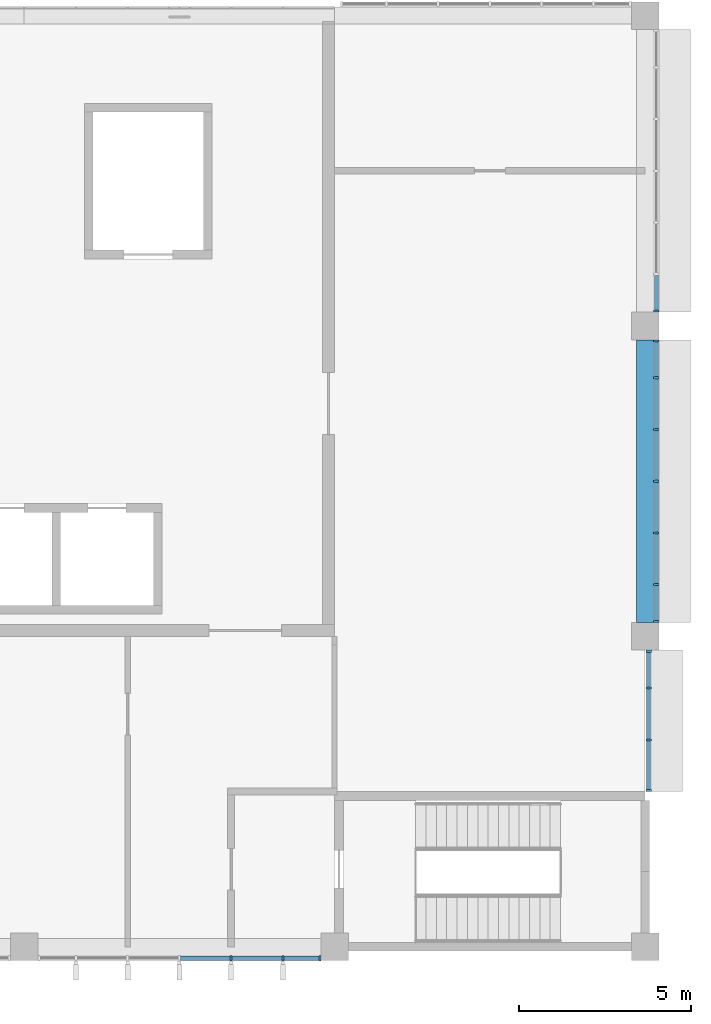
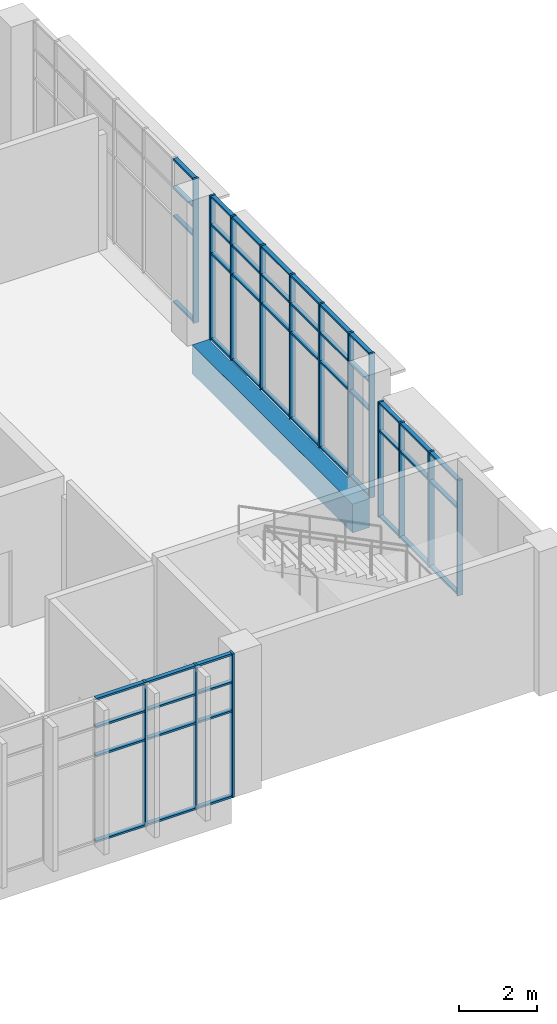
# One storey, part 5 of 19: 64 members, 1 beam, 4 elements without a shape of their own.
"""IFC4 building model written with IfcOpenShell, lengths in metres."""

from ifc_helpers import new_model, si_unit, direction, frame, origin, origin_2d, place, context, subcontext, project, spatial, rectangle, extrude, material, layer, layer_set, material_profile, profile_set, type_object, element, aggregate, save


model = new_model("IFC4")

# Units and contexts
model_context = context("Model", 3, precision=1e-05, world=origin(), true_north=direction((0.0, 1.0)))
body_context = subcontext(model_context, "Body", "Model", "MODEL_VIEW")
ifc_project = project(units=[si_unit("LENGTHUNIT", "METRE"), si_unit("AREAUNIT", "SQUARE_METRE"), si_unit("VOLUMEUNIT", "CUBIC_METRE"), si_unit("PLANEANGLEUNIT", "RADIAN"), si_unit("MASSUNIT", "GRAM", prefix="KILO")], contexts=[model_context])

# Site, building, storey
site_placement = place(None, origin())
site = spatial("IfcSite", under=ifc_project, at=site_placement, CompositionType="ELEMENT")
building_placement = place(site_placement, origin())
building = spatial("IfcBuilding", under=site, at=building_placement, Name="Guidao Yard Department Store", CompositionType="ELEMENT")
storey_placement = place(building_placement, frame((0.0, 0.0, 33.0)))
storey = spatial("IfcBuildingStorey", under=building, at=storey_placement, Name="L07", CompositionType="ELEMENT", Elevation=33.0)

# Curtain wall, members
ifc_material_1 = material(Name="Aluminium and glass", Category="aluminium")
ifc_layer = layer(ifc_material_1, 0.159912109375)
ifc_layer_set = layer_set([ifc_layer], Name="Unitised curtain wall CW4 1500 module")
curtain_wall_type = type_object("IfcCurtainWallType", Name="Unitised curtain wall CW4 1500 module", PredefinedType="NOTDEFINED", material=ifc_layer_set)
curtain_wall_1_placement = place(storey_placement, origin())
curtain_wall_1 = element("IfcCurtainWall", 1, at=curtain_wall_1_placement, inside=storey, type_object=curtain_wall_type, Name="Unitised curtain wall", PredefinedType="NOTDEFINED")
ifc_material_2 = material(Name="Aluminium 6063-T5", Category="aluminium")
ifc_material_profile_1 = material_profile(ifc_material_2, rectangle(XDim=0.06005859375, YDim=0.159912109375, at=origin_2d()), Name="Mullion M1 60 x 160 aluminium pressure plate")
ifc_profile_set_1 = profile_set([ifc_material_profile_1], Name="Aluminium 6063-T5")
member_type_1 = type_object("IfcMemberType", Name="Mullion M1 60 x 160 aluminium pressure plate", PredefinedType="MULLION", material=ifc_profile_set_1)
member_1_placement = place(storey_placement, frame((159.0, -0.330078125, 0.0), z_axis=(0.0, 0.0, 1.0), x_axis=(-1.0, 0.0, 0.0)))
member_1 = element("IfcMember", 2, at=member_1_placement, type_object=member_type_1, Name="CW-OW-L07-04 mullion 5", PredefinedType="MULLION", context=body_context, shape_type="SweptSolid", body=[
    extrude(rectangle(XDim=0.06005859375, YDim=0.159912109375, at=origin_2d()), origin(), (0.0, 0.0, 1.0), 4.5),
])
member_2_placement = place(storey_placement, frame((160.5, -0.330078125, 0.0), z_axis=(0.0, 0.0, 1.0), x_axis=(-1.0, 0.0, 0.0)))
member_2 = element("IfcMember", 3, at=member_2_placement, type_object=member_type_1, Name="CW-OW-L07-04 mullion 6", PredefinedType="MULLION", context=body_context, shape_type="SweptSolid", body=[
    extrude(rectangle(XDim=0.06005859375, YDim=0.159912109375, at=origin_2d()), origin(), (0.0, 0.0, 1.0), 4.5),
])
member_3_placement = place(storey_placement, frame((161.570068359375, -0.330078125, 0.0), z_axis=(0.0, 0.0, 1.0), x_axis=(-1.0, 0.0, 0.0)))
member_3 = element("IfcMember", 4, at=member_3_placement, type_object=member_type_1, Name="CW-OW-L07-04 mullion 7", PredefinedType="MULLION", context=body_context, shape_type="SweptSolid", body=[
    extrude(rectangle(XDim=0.06005859375, YDim=0.159912109375, at=origin_2d()), origin(), (0.0, 0.0, 1.0), 4.5),
])

curtain_wall_2_placement = place(storey_placement, origin())
curtain_wall_2 = element("IfcCurtainWall", 5, at=curtain_wall_2_placement, inside=storey, type_object=curtain_wall_type, Name="Unitised curtain wall", PredefinedType="NOTDEFINED")
member_4_placement = place(storey_placement, frame((171.10009765625, 4.530029296875, 0.0), z_axis=(0.0, 0.0, 1.0), x_axis=(0.0, -1.0, 0.0)))
member_4 = element("IfcMember", 6, at=member_4_placement, type_object=member_type_1, Name="CW-OW-L07-09 mullion 1", PredefinedType="MULLION", context=body_context, shape_type="SweptSolid", body=[
    extrude(rectangle(XDim=0.06005859375, YDim=0.159912109375, at=origin_2d()), origin(), (0.0, 0.0, 1.0), 3.60009765625),
])
member_5_placement = place(storey_placement, frame((171.10009765625, 6.0, 0.0), z_axis=(0.0, 0.0, 1.0), x_axis=(0.0, -1.0, 0.0)))
member_5 = element("IfcMember", 7, at=member_5_placement, type_object=member_type_1, Name="CW-OW-L07-09 mullion 2", PredefinedType="MULLION", context=body_context, shape_type="SweptSolid", body=[
    extrude(rectangle(XDim=0.06005859375, YDim=0.159912109375, at=origin_2d()), origin(), (0.0, 0.0, 1.0), 3.60009765625),
])
member_6_placement = place(storey_placement, frame((171.10009765625, 7.5, 0.0), z_axis=(0.0, 0.0, 1.0), x_axis=(0.0, -1.0, 0.0)))
member_6 = element("IfcMember", 8, at=member_6_placement, type_object=member_type_1, Name="CW-OW-L07-09 mullion 3", PredefinedType="MULLION", context=body_context, shape_type="SweptSolid", body=[
    extrude(rectangle(XDim=0.06005859375, YDim=0.159912109375, at=origin_2d()), origin(), (0.0, 0.0, 1.0), 3.60009765625),
])
member_7_placement = place(storey_placement, frame((171.10009765625, 8.570068359375, 0.0), z_axis=(0.0, 0.0, 1.0), x_axis=(0.0, -1.0, 0.0)))
member_7 = element("IfcMember", 9, at=member_7_placement, type_object=member_type_1, Name="CW-OW-L07-09 mullion 4", PredefinedType="MULLION", context=body_context, shape_type="SweptSolid", body=[
    extrude(rectangle(XDim=0.06005859375, YDim=0.159912109375, at=origin_2d()), origin(), (0.0, 0.0, 1.0), 3.60009765625),
])

curtain_wall_3_placement = place(storey_placement, origin())
curtain_wall_3 = element("IfcCurtainWall", 10, at=curtain_wall_3_placement, inside=storey, type_object=curtain_wall_type, Name="Unitised curtain wall", PredefinedType="NOTDEFINED")
member_8_placement = place(storey_placement, frame((171.330078125, 9.429931640625, 0.0), z_axis=(0.0, 0.0, 1.0), x_axis=(0.0, -1.0, 0.0)))
member_8 = element("IfcMember", 11, at=member_8_placement, type_object=member_type_1, Name="CW-OW-L07-10 mullion 1", PredefinedType="MULLION", context=body_context, shape_type="SweptSolid", body=[
    extrude(rectangle(XDim=0.06005859375, YDim=0.159912109375, at=origin_2d()), origin(), (0.0, 0.0, 1.0), 4.5),
])
member_9_placement = place(storey_placement, frame((171.330078125, 10.5, 0.0), z_axis=(0.0, 0.0, 1.0), x_axis=(0.0, -1.0, 0.0)))
member_9 = element("IfcMember", 12, at=member_9_placement, type_object=member_type_1, Name="CW-OW-L07-10 mullion 2", PredefinedType="MULLION", context=body_context, shape_type="SweptSolid", body=[
    extrude(rectangle(XDim=0.06005859375, YDim=0.159912109375, at=origin_2d()), origin(), (0.0, 0.0, 1.0), 4.5),
])
member_10_placement = place(storey_placement, frame((171.330078125, 12.0, 0.0), z_axis=(0.0, 0.0, 1.0), x_axis=(0.0, -1.0, 0.0)))
member_10 = element("IfcMember", 13, at=member_10_placement, type_object=member_type_1, Name="CW-OW-L07-10 mullion 3", PredefinedType="MULLION", context=body_context, shape_type="SweptSolid", body=[
    extrude(rectangle(XDim=0.06005859375, YDim=0.159912109375, at=origin_2d()), origin(), (0.0, 0.0, 1.0), 4.5),
])
member_11_placement = place(storey_placement, frame((171.330078125, 13.5, 0.0), z_axis=(0.0, 0.0, 1.0), x_axis=(0.0, -1.0, 0.0)))
member_11 = element("IfcMember", 14, at=member_11_placement, type_object=member_type_1, Name="CW-OW-L07-10 mullion 4", PredefinedType="MULLION", context=body_context, shape_type="SweptSolid", body=[
    extrude(rectangle(XDim=0.06005859375, YDim=0.159912109375, at=origin_2d()), origin(), (0.0, 0.0, 1.0), 4.5),
])
member_12_placement = place(storey_placement, frame((171.330078125, 15.0, 0.0), z_axis=(0.0, 0.0, 1.0), x_axis=(0.0, -1.0, 0.0)))
member_12 = element("IfcMember", 15, at=member_12_placement, type_object=member_type_1, Name="CW-OW-L07-10 mullion 5", PredefinedType="MULLION", context=body_context, shape_type="SweptSolid", body=[
    extrude(rectangle(XDim=0.06005859375, YDim=0.159912109375, at=origin_2d()), origin(), (0.0, 0.0, 1.0), 4.5),
])
member_13_placement = place(storey_placement, frame((171.330078125, 16.5, 0.0), z_axis=(0.0, 0.0, 1.0), x_axis=(0.0, -1.0, 0.0)))
member_13 = element("IfcMember", 16, at=member_13_placement, type_object=member_type_1, Name="CW-OW-L07-10 mullion 6", PredefinedType="MULLION", context=body_context, shape_type="SweptSolid", body=[
    extrude(rectangle(XDim=0.06005859375, YDim=0.159912109375, at=origin_2d()), origin(), (0.0, 0.0, 1.0), 4.5),
])
member_14_placement = place(storey_placement, frame((171.330078125, 17.570068359375, 0.0), z_axis=(0.0, 0.0, 1.0), x_axis=(0.0, -1.0, 0.0)))
member_14 = element("IfcMember", 17, at=member_14_placement, type_object=member_type_1, Name="CW-OW-L07-10 mullion 7", PredefinedType="MULLION", context=body_context, shape_type="SweptSolid", body=[
    extrude(rectangle(XDim=0.06005859375, YDim=0.159912109375, at=origin_2d()), origin(), (0.0, 0.0, 1.0), 4.5),
])

# Curtain wall, member
curtain_wall_4_placement = place(storey_placement, origin())
curtain_wall_4 = element("IfcCurtainWall", 18, at=curtain_wall_4_placement, inside=storey, type_object=curtain_wall_type, Name="Unitised curtain wall", PredefinedType="NOTDEFINED")
member_15_placement = place(storey_placement, frame((171.330078125, 18.429931640625, 0.0), z_axis=(0.0, 0.0, 1.0), x_axis=(0.0, -1.0, 0.0)))
member_15 = element("IfcMember", 19, at=member_15_placement, type_object=member_type_1, Name="CW-OW-L07-11 mullion 1", PredefinedType="MULLION", context=body_context, shape_type="SweptSolid", body=[
    extrude(rectangle(XDim=0.06005859375, YDim=0.159912109375, at=origin_2d()), origin(), (0.0, 0.0, 1.0), 4.5),
])

# Beam
ifc_material_3 = material(Name="Concrete C40", Category="concrete")
ifc_material_profile_2 = material_profile(ifc_material_3, rectangle(XDim=0.5, YDim=0.89990234375, at=origin_2d()), Name="Spandrel beam 500 x 900 C40")
ifc_profile_set_2 = profile_set([ifc_material_profile_2], Name="Concrete C40")
beam_type = type_object("IfcBeamType", Name="Spandrel beam 500 x 900 C40", PredefinedType="SPANDREL", material=ifc_profile_set_2)
beam_placement = place(storey_placement, frame((171.0, 9.39990234375, -0.449951171875), z_axis=(0.0, 1.0, 0.0), x_axis=(-1.0, 0.0, 0.0)))
element("IfcBeam", 20, at=beam_placement, inside=storey, type_object=beam_type, Name="Beam FB09", PredefinedType="SPANDREL", context=body_context, shape_type="SweptSolid", body=[
    extrude(rectangle(XDim=0.5, YDim=0.89990234375, at=origin_2d()), origin(), (0.0, 0.0, 1.0), 8.2001953125),
])

# Member
ifc_material_4 = material(Name="Aluminium 6063-T5", Category="aluminium")
ifc_material_profile_3 = material_profile(ifc_material_4, rectangle(XDim=0.1201171875, YDim=0.06005859375, at=origin_2d()), Name="Transom T1 60 x 120 aluminium pressure plate")
ifc_profile_set_3 = profile_set([ifc_material_profile_3], Name="Aluminium 6063-T5")
member_type_2 = type_object("IfcMemberType", Name="Transom T1 60 x 120 aluminium pressure plate", PredefinedType="USERDEFINED", material=ifc_profile_set_3)
member_16_placement = place(storey_placement, frame((158.969970703125, -0.330078125, 0.030029296875), z_axis=(-1.0, 0.0, 0.0), x_axis=(0.0, -1.0, 0.0)))
member_16 = element("IfcMember", 21, at=member_16_placement, type_object=member_type_2, Name="CW-OW-L07-04 transom 4.1", ObjectType="TRANSOM", PredefinedType="USERDEFINED", context=body_context, shape_type="SweptSolid", body=[
    extrude(rectangle(XDim=0.1201171875, YDim=0.06005859375, at=origin_2d()), origin(), (0.0, 0.0, 1.0), 1.43994140625),
])

member_17_placement = place(storey_placement, frame((158.969970703125, -0.330078125, 2.699951171875), z_axis=(-1.0, 0.0, 0.0), x_axis=(0.0, -1.0, 0.0)))
member_17 = element("IfcMember", 22, at=member_17_placement, type_object=member_type_2, Name="CW-OW-L07-04 transom 4.2", ObjectType="TRANSOM", PredefinedType="USERDEFINED", context=body_context, shape_type="SweptSolid", body=[
    extrude(rectangle(XDim=0.1201171875, YDim=0.06005859375, at=origin_2d()), origin(), (0.0, 0.0, 1.0), 1.43994140625),
])

member_18_placement = place(storey_placement, frame((158.969970703125, -0.330078125, 3.60009765625), z_axis=(-1.0, 0.0, 0.0), x_axis=(0.0, -1.0, 0.0)))
member_18 = element("IfcMember", 23, at=member_18_placement, type_object=member_type_2, Name="CW-OW-L07-04 transom 4.3", ObjectType="TRANSOM", PredefinedType="USERDEFINED", context=body_context, shape_type="SweptSolid", body=[
    extrude(rectangle(XDim=0.1201171875, YDim=0.06005859375, at=origin_2d()), origin(), (0.0, 0.0, 1.0), 1.43994140625),
])

member_19_placement = place(storey_placement, frame((158.969970703125, -0.330078125, 4.469970703125), z_axis=(-1.0, 0.0, 0.0), x_axis=(0.0, -1.0, 0.0)))
member_19 = element("IfcMember", 24, at=member_19_placement, type_object=member_type_2, Name="CW-OW-L07-04 transom 4.4", ObjectType="TRANSOM", PredefinedType="USERDEFINED", context=body_context, shape_type="SweptSolid", body=[
    extrude(rectangle(XDim=0.1201171875, YDim=0.06005859375, at=origin_2d()), origin(), (0.0, 0.0, 1.0), 1.43994140625),
])

member_20_placement = place(storey_placement, frame((160.469970703125, -0.330078125, 0.030029296875), z_axis=(-1.0, 0.0, 0.0), x_axis=(0.0, -1.0, 0.0)))
member_20 = element("IfcMember", 25, at=member_20_placement, type_object=member_type_2, Name="CW-OW-L07-04 transom 5.1", ObjectType="TRANSOM", PredefinedType="USERDEFINED", context=body_context, shape_type="SweptSolid", body=[
    extrude(rectangle(XDim=0.1201171875, YDim=0.06005859375, at=origin_2d()), origin(), (0.0, 0.0, 1.0), 1.43994140625),
])

member_21_placement = place(storey_placement, frame((160.469970703125, -0.330078125, 2.699951171875), z_axis=(-1.0, 0.0, 0.0), x_axis=(0.0, -1.0, 0.0)))
member_21 = element("IfcMember", 26, at=member_21_placement, type_object=member_type_2, Name="CW-OW-L07-04 transom 5.2", ObjectType="TRANSOM", PredefinedType="USERDEFINED", context=body_context, shape_type="SweptSolid", body=[
    extrude(rectangle(XDim=0.1201171875, YDim=0.06005859375, at=origin_2d()), origin(), (0.0, 0.0, 1.0), 1.43994140625),
])

member_22_placement = place(storey_placement, frame((160.469970703125, -0.330078125, 3.60009765625), z_axis=(-1.0, 0.0, 0.0), x_axis=(0.0, -1.0, 0.0)))
member_22 = element("IfcMember", 27, at=member_22_placement, type_object=member_type_2, Name="CW-OW-L07-04 transom 5.3", ObjectType="TRANSOM", PredefinedType="USERDEFINED", context=body_context, shape_type="SweptSolid", body=[
    extrude(rectangle(XDim=0.1201171875, YDim=0.06005859375, at=origin_2d()), origin(), (0.0, 0.0, 1.0), 1.43994140625),
])

member_23_placement = place(storey_placement, frame((160.469970703125, -0.330078125, 4.469970703125), z_axis=(-1.0, 0.0, 0.0), x_axis=(0.0, -1.0, 0.0)))
member_23 = element("IfcMember", 28, at=member_23_placement, type_object=member_type_2, Name="CW-OW-L07-04 transom 5.4", ObjectType="TRANSOM", PredefinedType="USERDEFINED", context=body_context, shape_type="SweptSolid", body=[
    extrude(rectangle(XDim=0.1201171875, YDim=0.06005859375, at=origin_2d()), origin(), (0.0, 0.0, 1.0), 1.43994140625),
])

member_24_placement = place(storey_placement, frame((161.5400390625, -0.330078125, 0.030029296875), z_axis=(-1.0, 0.0, 0.0), x_axis=(0.0, -1.0, 0.0)))
member_24 = element("IfcMember", 29, at=member_24_placement, type_object=member_type_2, Name="CW-OW-L07-04 transom 6.1", ObjectType="TRANSOM", PredefinedType="USERDEFINED", context=body_context, shape_type="SweptSolid", body=[
    extrude(rectangle(XDim=0.1201171875, YDim=0.06005859375, at=origin_2d()), origin(), (0.0, 0.0, 1.0), 1.010009765625),
])

member_25_placement = place(storey_placement, frame((161.5400390625, -0.330078125, 2.699951171875), z_axis=(-1.0, 0.0, 0.0), x_axis=(0.0, -1.0, 0.0)))
member_25 = element("IfcMember", 30, at=member_25_placement, type_object=member_type_2, Name="CW-OW-L07-04 transom 6.2", ObjectType="TRANSOM", PredefinedType="USERDEFINED", context=body_context, shape_type="SweptSolid", body=[
    extrude(rectangle(XDim=0.1201171875, YDim=0.06005859375, at=origin_2d()), origin(), (0.0, 0.0, 1.0), 1.010009765625),
])

member_26_placement = place(storey_placement, frame((161.5400390625, -0.330078125, 3.60009765625), z_axis=(-1.0, 0.0, 0.0), x_axis=(0.0, -1.0, 0.0)))
member_26 = element("IfcMember", 31, at=member_26_placement, type_object=member_type_2, Name="CW-OW-L07-04 transom 6.3", ObjectType="TRANSOM", PredefinedType="USERDEFINED", context=body_context, shape_type="SweptSolid", body=[
    extrude(rectangle(XDim=0.1201171875, YDim=0.06005859375, at=origin_2d()), origin(), (0.0, 0.0, 1.0), 1.010009765625),
])

member_27_placement = place(storey_placement, frame((161.5400390625, -0.330078125, 4.469970703125), z_axis=(-1.0, 0.0, 0.0), x_axis=(0.0, -1.0, 0.0)))
member_27 = element("IfcMember", 32, at=member_27_placement, type_object=member_type_2, Name="CW-OW-L07-04 transom 6.4", ObjectType="TRANSOM", PredefinedType="USERDEFINED", context=body_context, shape_type="SweptSolid", body=[
    extrude(rectangle(XDim=0.1201171875, YDim=0.06005859375, at=origin_2d()), origin(), (0.0, 0.0, 1.0), 1.010009765625),
])

aggregate(curtain_wall_1, [member_1, member_2, member_3, member_16, member_17, member_18, member_19, member_20, member_21, member_22, member_23, member_24, member_25, member_26, member_27])

member_28_placement = place(storey_placement, frame((171.10009765625, 5.969970703125, 0.030029296875), z_axis=(0.0, -1.0, 0.0), x_axis=(1.0, 0.0, 0.0)))
member_28 = element("IfcMember", 33, at=member_28_placement, type_object=member_type_2, Name="CW-OW-L07-09 transom 1.1", ObjectType="TRANSOM", PredefinedType="USERDEFINED", context=body_context, shape_type="SweptSolid", body=[
    extrude(rectangle(XDim=0.1201171875, YDim=0.06005859375, at=origin_2d()), origin(), (0.0, 0.0, 1.0), 1.409912109375),
])

member_29_placement = place(storey_placement, frame((171.10009765625, 5.969970703125, 2.699951171875), z_axis=(0.0, -1.0, 0.0), x_axis=(1.0, 0.0, 0.0)))
member_29 = element("IfcMember", 34, at=member_29_placement, type_object=member_type_2, Name="CW-OW-L07-09 transom 1.2", ObjectType="TRANSOM", PredefinedType="USERDEFINED", context=body_context, shape_type="SweptSolid", body=[
    extrude(rectangle(XDim=0.1201171875, YDim=0.06005859375, at=origin_2d()), origin(), (0.0, 0.0, 1.0), 1.409912109375),
])

member_30_placement = place(storey_placement, frame((171.10009765625, 5.969970703125, 3.570068359375), z_axis=(0.0, -1.0, 0.0), x_axis=(1.0, 0.0, 0.0)))
member_30 = element("IfcMember", 35, at=member_30_placement, type_object=member_type_2, Name="CW-OW-L07-09 transom 1.3", ObjectType="TRANSOM", PredefinedType="USERDEFINED", context=body_context, shape_type="SweptSolid", body=[
    extrude(rectangle(XDim=0.1201171875, YDim=0.06005859375, at=origin_2d()), origin(), (0.0, 0.0, 1.0), 1.409912109375),
])

member_31_placement = place(storey_placement, frame((171.10009765625, 7.469970703125, 0.030029296875), z_axis=(0.0, -1.0, 0.0), x_axis=(1.0, 0.0, 0.0)))
member_31 = element("IfcMember", 36, at=member_31_placement, type_object=member_type_2, Name="CW-OW-L07-09 transom 2.1", ObjectType="TRANSOM", PredefinedType="USERDEFINED", context=body_context, shape_type="SweptSolid", body=[
    extrude(rectangle(XDim=0.1201171875, YDim=0.06005859375, at=origin_2d()), origin(), (0.0, 0.0, 1.0), 1.43994140625),
])

member_32_placement = place(storey_placement, frame((171.10009765625, 7.469970703125, 2.699951171875), z_axis=(0.0, -1.0, 0.0), x_axis=(1.0, 0.0, 0.0)))
member_32 = element("IfcMember", 37, at=member_32_placement, type_object=member_type_2, Name="CW-OW-L07-09 transom 2.2", ObjectType="TRANSOM", PredefinedType="USERDEFINED", context=body_context, shape_type="SweptSolid", body=[
    extrude(rectangle(XDim=0.1201171875, YDim=0.06005859375, at=origin_2d()), origin(), (0.0, 0.0, 1.0), 1.43994140625),
])

member_33_placement = place(storey_placement, frame((171.10009765625, 7.469970703125, 3.570068359375), z_axis=(0.0, -1.0, 0.0), x_axis=(1.0, 0.0, 0.0)))
member_33 = element("IfcMember", 38, at=member_33_placement, type_object=member_type_2, Name="CW-OW-L07-09 transom 2.3", ObjectType="TRANSOM", PredefinedType="USERDEFINED", context=body_context, shape_type="SweptSolid", body=[
    extrude(rectangle(XDim=0.1201171875, YDim=0.06005859375, at=origin_2d()), origin(), (0.0, 0.0, 1.0), 1.43994140625),
])

member_34_placement = place(storey_placement, frame((171.10009765625, 8.5400390625, 0.030029296875), z_axis=(0.0, -1.0, 0.0), x_axis=(1.0, 0.0, 0.0)))
member_34 = element("IfcMember", 39, at=member_34_placement, type_object=member_type_2, Name="CW-OW-L07-09 transom 3.1", ObjectType="TRANSOM", PredefinedType="USERDEFINED", context=body_context, shape_type="SweptSolid", body=[
    extrude(rectangle(XDim=0.1201171875, YDim=0.06005859375, at=origin_2d()), origin(), (0.0, 0.0, 1.0), 1.010009765625),
])

member_35_placement = place(storey_placement, frame((171.10009765625, 8.5400390625, 2.699951171875), z_axis=(0.0, -1.0, 0.0), x_axis=(1.0, 0.0, 0.0)))
member_35 = element("IfcMember", 40, at=member_35_placement, type_object=member_type_2, Name="CW-OW-L07-09 transom 3.2", ObjectType="TRANSOM", PredefinedType="USERDEFINED", context=body_context, shape_type="SweptSolid", body=[
    extrude(rectangle(XDim=0.1201171875, YDim=0.06005859375, at=origin_2d()), origin(), (0.0, 0.0, 1.0), 1.010009765625),
])

member_36_placement = place(storey_placement, frame((171.10009765625, 8.5400390625, 3.570068359375), z_axis=(0.0, -1.0, 0.0), x_axis=(1.0, 0.0, 0.0)))
member_36 = element("IfcMember", 41, at=member_36_placement, type_object=member_type_2, Name="CW-OW-L07-09 transom 3.3", ObjectType="TRANSOM", PredefinedType="USERDEFINED", context=body_context, shape_type="SweptSolid", body=[
    extrude(rectangle(XDim=0.1201171875, YDim=0.06005859375, at=origin_2d()), origin(), (0.0, 0.0, 1.0), 1.010009765625),
])

aggregate(curtain_wall_2, [member_4, member_5, member_6, member_7, member_28, member_29, member_30, member_31, member_32, member_33, member_34, member_35, member_36])

member_37_placement = place(storey_placement, frame((171.330078125, 10.469970703125, 0.030029296875), z_axis=(0.0, -1.0, 0.0), x_axis=(1.0, 0.0, 0.0)))
member_37 = element("IfcMember", 42, at=member_37_placement, type_object=member_type_2, Name="CW-OW-L07-10 transom 1.1", ObjectType="TRANSOM", PredefinedType="USERDEFINED", context=body_context, shape_type="SweptSolid", body=[
    extrude(rectangle(XDim=0.1201171875, YDim=0.06005859375, at=origin_2d()), origin(), (0.0, 0.0, 1.0), 1.010009765625),
])

member_38_placement = place(storey_placement, frame((171.330078125, 10.469970703125, 2.699951171875), z_axis=(0.0, -1.0, 0.0), x_axis=(1.0, 0.0, 0.0)))
member_38 = element("IfcMember", 43, at=member_38_placement, type_object=member_type_2, Name="CW-OW-L07-10 transom 1.2", ObjectType="TRANSOM", PredefinedType="USERDEFINED", context=body_context, shape_type="SweptSolid", body=[
    extrude(rectangle(XDim=0.1201171875, YDim=0.06005859375, at=origin_2d()), origin(), (0.0, 0.0, 1.0), 1.010009765625),
])

member_39_placement = place(storey_placement, frame((171.330078125, 10.469970703125, 3.60009765625), z_axis=(0.0, -1.0, 0.0), x_axis=(1.0, 0.0, 0.0)))
member_39 = element("IfcMember", 44, at=member_39_placement, type_object=member_type_2, Name="CW-OW-L07-10 transom 1.3", ObjectType="TRANSOM", PredefinedType="USERDEFINED", context=body_context, shape_type="SweptSolid", body=[
    extrude(rectangle(XDim=0.1201171875, YDim=0.06005859375, at=origin_2d()), origin(), (0.0, 0.0, 1.0), 1.010009765625),
])

member_40_placement = place(storey_placement, frame((171.330078125, 10.469970703125, 4.469970703125), z_axis=(0.0, -1.0, 0.0), x_axis=(1.0, 0.0, 0.0)))
member_40 = element("IfcMember", 45, at=member_40_placement, type_object=member_type_2, Name="CW-OW-L07-10 transom 1.4", ObjectType="TRANSOM", PredefinedType="USERDEFINED", context=body_context, shape_type="SweptSolid", body=[
    extrude(rectangle(XDim=0.1201171875, YDim=0.06005859375, at=origin_2d()), origin(), (0.0, 0.0, 1.0), 1.010009765625),
])

member_41_placement = place(storey_placement, frame((171.330078125, 11.969970703125, 0.030029296875), z_axis=(0.0, -1.0, 0.0), x_axis=(1.0, 0.0, 0.0)))
member_41 = element("IfcMember", 46, at=member_41_placement, type_object=member_type_2, Name="CW-OW-L07-10 transom 2.1", ObjectType="TRANSOM", PredefinedType="USERDEFINED", context=body_context, shape_type="SweptSolid", body=[
    extrude(rectangle(XDim=0.1201171875, YDim=0.06005859375, at=origin_2d()), origin(), (0.0, 0.0, 1.0), 1.43994140625),
])

member_42_placement = place(storey_placement, frame((171.330078125, 11.969970703125, 2.699951171875), z_axis=(0.0, -1.0, 0.0), x_axis=(1.0, 0.0, 0.0)))
member_42 = element("IfcMember", 47, at=member_42_placement, type_object=member_type_2, Name="CW-OW-L07-10 transom 2.2", ObjectType="TRANSOM", PredefinedType="USERDEFINED", context=body_context, shape_type="SweptSolid", body=[
    extrude(rectangle(XDim=0.1201171875, YDim=0.06005859375, at=origin_2d()), origin(), (0.0, 0.0, 1.0), 1.43994140625),
])

member_43_placement = place(storey_placement, frame((171.330078125, 11.969970703125, 3.60009765625), z_axis=(0.0, -1.0, 0.0), x_axis=(1.0, 0.0, 0.0)))
member_43 = element("IfcMember", 48, at=member_43_placement, type_object=member_type_2, Name="CW-OW-L07-10 transom 2.3", ObjectType="TRANSOM", PredefinedType="USERDEFINED", context=body_context, shape_type="SweptSolid", body=[
    extrude(rectangle(XDim=0.1201171875, YDim=0.06005859375, at=origin_2d()), origin(), (0.0, 0.0, 1.0), 1.43994140625),
])

member_44_placement = place(storey_placement, frame((171.330078125, 11.969970703125, 4.469970703125), z_axis=(0.0, -1.0, 0.0), x_axis=(1.0, 0.0, 0.0)))
member_44 = element("IfcMember", 49, at=member_44_placement, type_object=member_type_2, Name="CW-OW-L07-10 transom 2.4", ObjectType="TRANSOM", PredefinedType="USERDEFINED", context=body_context, shape_type="SweptSolid", body=[
    extrude(rectangle(XDim=0.1201171875, YDim=0.06005859375, at=origin_2d()), origin(), (0.0, 0.0, 1.0), 1.43994140625),
])

member_45_placement = place(storey_placement, frame((171.330078125, 13.469970703125, 0.030029296875), z_axis=(0.0, -1.0, 0.0), x_axis=(1.0, 0.0, 0.0)))
member_45 = element("IfcMember", 50, at=member_45_placement, type_object=member_type_2, Name="CW-OW-L07-10 transom 3.1", ObjectType="TRANSOM", PredefinedType="USERDEFINED", context=body_context, shape_type="SweptSolid", body=[
    extrude(rectangle(XDim=0.1201171875, YDim=0.06005859375, at=origin_2d()), origin(), (0.0, 0.0, 1.0), 1.43994140625),
])

member_46_placement = place(storey_placement, frame((171.330078125, 13.469970703125, 2.699951171875), z_axis=(0.0, -1.0, 0.0), x_axis=(1.0, 0.0, 0.0)))
member_46 = element("IfcMember", 51, at=member_46_placement, type_object=member_type_2, Name="CW-OW-L07-10 transom 3.2", ObjectType="TRANSOM", PredefinedType="USERDEFINED", context=body_context, shape_type="SweptSolid", body=[
    extrude(rectangle(XDim=0.1201171875, YDim=0.06005859375, at=origin_2d()), origin(), (0.0, 0.0, 1.0), 1.43994140625),
])

member_47_placement = place(storey_placement, frame((171.330078125, 13.469970703125, 3.60009765625), z_axis=(0.0, -1.0, 0.0), x_axis=(1.0, 0.0, 0.0)))
member_47 = element("IfcMember", 52, at=member_47_placement, type_object=member_type_2, Name="CW-OW-L07-10 transom 3.3", ObjectType="TRANSOM", PredefinedType="USERDEFINED", context=body_context, shape_type="SweptSolid", body=[
    extrude(rectangle(XDim=0.1201171875, YDim=0.06005859375, at=origin_2d()), origin(), (0.0, 0.0, 1.0), 1.43994140625),
])

member_48_placement = place(storey_placement, frame((171.330078125, 13.469970703125, 4.469970703125), z_axis=(0.0, -1.0, 0.0), x_axis=(1.0, 0.0, 0.0)))
member_48 = element("IfcMember", 53, at=member_48_placement, type_object=member_type_2, Name="CW-OW-L07-10 transom 3.4", ObjectType="TRANSOM", PredefinedType="USERDEFINED", context=body_context, shape_type="SweptSolid", body=[
    extrude(rectangle(XDim=0.1201171875, YDim=0.06005859375, at=origin_2d()), origin(), (0.0, 0.0, 1.0), 1.43994140625),
])

member_49_placement = place(storey_placement, frame((171.330078125, 14.969970703125, 0.030029296875), z_axis=(0.0, -1.0, 0.0), x_axis=(1.0, 0.0, 0.0)))
member_49 = element("IfcMember", 54, at=member_49_placement, type_object=member_type_2, Name="CW-OW-L07-10 transom 4.1", ObjectType="TRANSOM", PredefinedType="USERDEFINED", context=body_context, shape_type="SweptSolid", body=[
    extrude(rectangle(XDim=0.1201171875, YDim=0.06005859375, at=origin_2d()), origin(), (0.0, 0.0, 1.0), 1.43994140625),
])

member_50_placement = place(storey_placement, frame((171.330078125, 14.969970703125, 2.699951171875), z_axis=(0.0, -1.0, 0.0), x_axis=(1.0, 0.0, 0.0)))
member_50 = element("IfcMember", 55, at=member_50_placement, type_object=member_type_2, Name="CW-OW-L07-10 transom 4.2", ObjectType="TRANSOM", PredefinedType="USERDEFINED", context=body_context, shape_type="SweptSolid", body=[
    extrude(rectangle(XDim=0.1201171875, YDim=0.06005859375, at=origin_2d()), origin(), (0.0, 0.0, 1.0), 1.43994140625),
])

member_51_placement = place(storey_placement, frame((171.330078125, 14.969970703125, 3.60009765625), z_axis=(0.0, -1.0, 0.0), x_axis=(1.0, 0.0, 0.0)))
member_51 = element("IfcMember", 56, at=member_51_placement, type_object=member_type_2, Name="CW-OW-L07-10 transom 4.3", ObjectType="TRANSOM", PredefinedType="USERDEFINED", context=body_context, shape_type="SweptSolid", body=[
    extrude(rectangle(XDim=0.1201171875, YDim=0.06005859375, at=origin_2d()), origin(), (0.0, 0.0, 1.0), 1.43994140625),
])

member_52_placement = place(storey_placement, frame((171.330078125, 14.969970703125, 4.469970703125), z_axis=(0.0, -1.0, 0.0), x_axis=(1.0, 0.0, 0.0)))
member_52 = element("IfcMember", 57, at=member_52_placement, type_object=member_type_2, Name="CW-OW-L07-10 transom 4.4", ObjectType="TRANSOM", PredefinedType="USERDEFINED", context=body_context, shape_type="SweptSolid", body=[
    extrude(rectangle(XDim=0.1201171875, YDim=0.06005859375, at=origin_2d()), origin(), (0.0, 0.0, 1.0), 1.43994140625),
])

member_53_placement = place(storey_placement, frame((171.330078125, 16.469970703125, 0.030029296875), z_axis=(0.0, -1.0, 0.0), x_axis=(1.0, 0.0, 0.0)))
member_53 = element("IfcMember", 58, at=member_53_placement, type_object=member_type_2, Name="CW-OW-L07-10 transom 5.1", ObjectType="TRANSOM", PredefinedType="USERDEFINED", context=body_context, shape_type="SweptSolid", body=[
    extrude(rectangle(XDim=0.1201171875, YDim=0.06005859375, at=origin_2d()), origin(), (0.0, 0.0, 1.0), 1.43994140625),
])

member_54_placement = place(storey_placement, frame((171.330078125, 16.469970703125, 2.699951171875), z_axis=(0.0, -1.0, 0.0), x_axis=(1.0, 0.0, 0.0)))
member_54 = element("IfcMember", 59, at=member_54_placement, type_object=member_type_2, Name="CW-OW-L07-10 transom 5.2", ObjectType="TRANSOM", PredefinedType="USERDEFINED", context=body_context, shape_type="SweptSolid", body=[
    extrude(rectangle(XDim=0.1201171875, YDim=0.06005859375, at=origin_2d()), origin(), (0.0, 0.0, 1.0), 1.43994140625),
])

member_55_placement = place(storey_placement, frame((171.330078125, 16.469970703125, 3.60009765625), z_axis=(0.0, -1.0, 0.0), x_axis=(1.0, 0.0, 0.0)))
member_55 = element("IfcMember", 60, at=member_55_placement, type_object=member_type_2, Name="CW-OW-L07-10 transom 5.3", ObjectType="TRANSOM", PredefinedType="USERDEFINED", context=body_context, shape_type="SweptSolid", body=[
    extrude(rectangle(XDim=0.1201171875, YDim=0.06005859375, at=origin_2d()), origin(), (0.0, 0.0, 1.0), 1.43994140625),
])

member_56_placement = place(storey_placement, frame((171.330078125, 16.469970703125, 4.469970703125), z_axis=(0.0, -1.0, 0.0), x_axis=(1.0, 0.0, 0.0)))
member_56 = element("IfcMember", 61, at=member_56_placement, type_object=member_type_2, Name="CW-OW-L07-10 transom 5.4", ObjectType="TRANSOM", PredefinedType="USERDEFINED", context=body_context, shape_type="SweptSolid", body=[
    extrude(rectangle(XDim=0.1201171875, YDim=0.06005859375, at=origin_2d()), origin(), (0.0, 0.0, 1.0), 1.43994140625),
])

member_57_placement = place(storey_placement, frame((171.330078125, 17.5400390625, 0.030029296875), z_axis=(0.0, -1.0, 0.0), x_axis=(1.0, 0.0, 0.0)))
member_57 = element("IfcMember", 62, at=member_57_placement, type_object=member_type_2, Name="CW-OW-L07-10 transom 6.1", ObjectType="TRANSOM", PredefinedType="USERDEFINED", context=body_context, shape_type="SweptSolid", body=[
    extrude(rectangle(XDim=0.1201171875, YDim=0.06005859375, at=origin_2d()), origin(), (0.0, 0.0, 1.0), 1.010009765625),
])

member_58_placement = place(storey_placement, frame((171.330078125, 17.5400390625, 2.699951171875), z_axis=(0.0, -1.0, 0.0), x_axis=(1.0, 0.0, 0.0)))
member_58 = element("IfcMember", 63, at=member_58_placement, type_object=member_type_2, Name="CW-OW-L07-10 transom 6.2", ObjectType="TRANSOM", PredefinedType="USERDEFINED", context=body_context, shape_type="SweptSolid", body=[
    extrude(rectangle(XDim=0.1201171875, YDim=0.06005859375, at=origin_2d()), origin(), (0.0, 0.0, 1.0), 1.010009765625),
])

member_59_placement = place(storey_placement, frame((171.330078125, 17.5400390625, 3.60009765625), z_axis=(0.0, -1.0, 0.0), x_axis=(1.0, 0.0, 0.0)))
member_59 = element("IfcMember", 64, at=member_59_placement, type_object=member_type_2, Name="CW-OW-L07-10 transom 6.3", ObjectType="TRANSOM", PredefinedType="USERDEFINED", context=body_context, shape_type="SweptSolid", body=[
    extrude(rectangle(XDim=0.1201171875, YDim=0.06005859375, at=origin_2d()), origin(), (0.0, 0.0, 1.0), 1.010009765625),
])

member_60_placement = place(storey_placement, frame((171.330078125, 17.5400390625, 4.469970703125), z_axis=(0.0, -1.0, 0.0), x_axis=(1.0, 0.0, 0.0)))
member_60 = element("IfcMember", 65, at=member_60_placement, type_object=member_type_2, Name="CW-OW-L07-10 transom 6.4", ObjectType="TRANSOM", PredefinedType="USERDEFINED", context=body_context, shape_type="SweptSolid", body=[
    extrude(rectangle(XDim=0.1201171875, YDim=0.06005859375, at=origin_2d()), origin(), (0.0, 0.0, 1.0), 1.010009765625),
])

aggregate(curtain_wall_3, [member_8, member_9, member_10, member_11, member_12, member_13, member_14, member_37, member_38, member_39, member_40, member_41, member_42, member_43, member_44, member_45, member_46, member_47, member_48, member_49, member_50, member_51, member_52, member_53, member_54, member_55, member_56, member_57, member_58, member_59, member_60])

member_61_placement = place(storey_placement, frame((171.330078125, 19.469970703125, 0.030029296875), z_axis=(0.0, -1.0, 0.0), x_axis=(1.0, 0.0, 0.0)))
member_61 = element("IfcMember", 66, at=member_61_placement, type_object=member_type_2, Name="CW-OW-L07-11 transom 1.1", ObjectType="TRANSOM", PredefinedType="USERDEFINED", context=body_context, shape_type="SweptSolid", body=[
    extrude(rectangle(XDim=0.1201171875, YDim=0.06005859375, at=origin_2d()), origin(), (0.0, 0.0, 1.0), 1.010009765625),
])

member_62_placement = place(storey_placement, frame((171.330078125, 19.469970703125, 2.699951171875), z_axis=(0.0, -1.0, 0.0), x_axis=(1.0, 0.0, 0.0)))
member_62 = element("IfcMember", 67, at=member_62_placement, type_object=member_type_2, Name="CW-OW-L07-11 transom 1.2", ObjectType="TRANSOM", PredefinedType="USERDEFINED", context=body_context, shape_type="SweptSolid", body=[
    extrude(rectangle(XDim=0.1201171875, YDim=0.06005859375, at=origin_2d()), origin(), (0.0, 0.0, 1.0), 1.010009765625),
])

member_63_placement = place(storey_placement, frame((171.330078125, 19.469970703125, 3.60009765625), z_axis=(0.0, -1.0, 0.0), x_axis=(1.0, 0.0, 0.0)))
member_63 = element("IfcMember", 68, at=member_63_placement, type_object=member_type_2, Name="CW-OW-L07-11 transom 1.3", ObjectType="TRANSOM", PredefinedType="USERDEFINED", context=body_context, shape_type="SweptSolid", body=[
    extrude(rectangle(XDim=0.1201171875, YDim=0.06005859375, at=origin_2d()), origin(), (0.0, 0.0, 1.0), 1.010009765625),
])

member_64_placement = place(storey_placement, frame((171.330078125, 19.469970703125, 4.469970703125), z_axis=(0.0, -1.0, 0.0), x_axis=(1.0, 0.0, 0.0)))
member_64 = element("IfcMember", 69, at=member_64_placement, type_object=member_type_2, Name="CW-OW-L07-11 transom 1.4", ObjectType="TRANSOM", PredefinedType="USERDEFINED", context=body_context, shape_type="SweptSolid", body=[
    extrude(rectangle(XDim=0.1201171875, YDim=0.06005859375, at=origin_2d()), origin(), (0.0, 0.0, 1.0), 1.010009765625),
])

aggregate(curtain_wall_4, [member_15, member_61, member_62, member_63, member_64])

save(model, "model.ifc")
